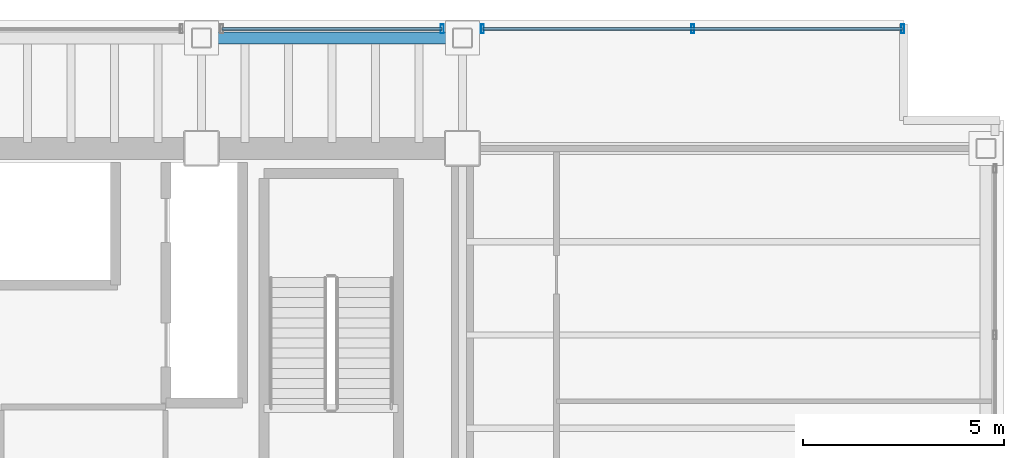
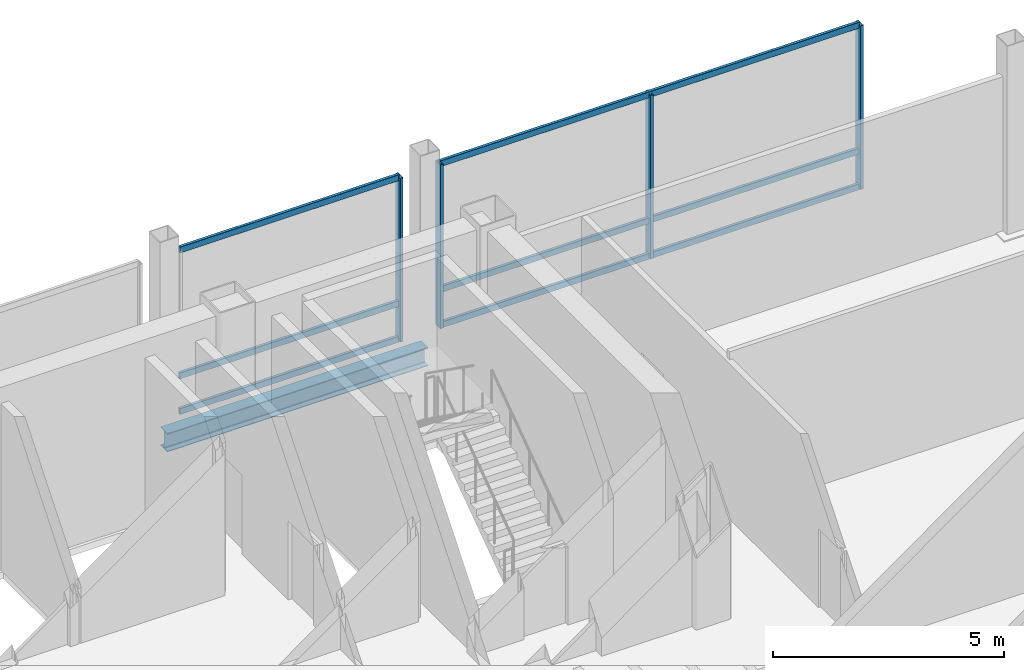
# One storey, part 16 of 22: 10 members, 1 beam, 2 elements without a shape of their own.
"""IFC4 building model written with IfcOpenShell, lengths in metres."""

from ifc_helpers import new_model, si_unit, direction, frame, origin, origin_2d, place, context, subcontext, project, spatial, hollow_rectangle, i_section, extrude, material, material_profile, profile_set, type_object, element, aggregate, save


model = new_model("IFC4")

# Units and contexts
model_context = context("Model", 3, precision=1e-05, world=origin(), true_north=direction((0.0, 1.0)))
body_context = subcontext(model_context, "Body", "Model", "MODEL_VIEW")
ifc_project = project(units=[si_unit("LENGTHUNIT", "METRE"), si_unit("AREAUNIT", "SQUARE_METRE"), si_unit("VOLUMEUNIT", "CUBIC_METRE"), si_unit("PLANEANGLEUNIT", "RADIAN"), si_unit("MASSUNIT", "GRAM", prefix="KILO")], contexts=[model_context])

# Site, building, storey
site_placement = place(None, origin())
site = spatial("IfcSite", under=ifc_project, at=site_placement, CompositionType="ELEMENT")
building_placement = place(site_placement, origin())
building = spatial("IfcBuilding", under=site, at=building_placement, Name="Noeulbin Bourse Tower", CompositionType="ELEMENT")
storey_placement = place(building_placement, frame((0.0, 0.0, 106.0)))
storey = spatial("IfcBuildingStorey", under=building, at=storey_placement, Name="L26", CompositionType="ELEMENT", Elevation=106.0)

# Beam
ifc_material_1 = material(Name="Steel S355", Category="steel")
ifc_material_profile_1 = material_profile(ifc_material_1, i_section(OverallWidth=0.300048828125, OverallDepth=0.488037109375, WebThickness=0.010986328125, FlangeThickness=0.01806640625, FilletRadius=0.02197265625, at=origin_2d()), Name="H-488x300x11x18", Category="LoadBearing")
ifc_profile_set_1 = profile_set([ifc_material_profile_1], Name="Steel S355")
beam_type = type_object("IfcBeamType", Name="BM-SPN-488", PredefinedType="SPANDREL", material=ifc_profile_set_1)
beam_placement = place(storey_placement, frame((37.5, 41.050048828125, -0.424072265625), z_axis=(1.0, 0.0, 0.0), x_axis=(0.0, 1.0, 0.0)))
element("IfcBeam", 1, at=beam_placement, inside=storey, type_object=beam_type, Name="North Spandrel L26-4", PredefinedType="SPANDREL", context=body_context, shape_type="SweptSolid", body=[
    extrude(i_section(OverallWidth=0.300048828125, OverallDepth=0.488037109375, WebThickness=0.010986328125, FlangeThickness=0.01806640625, FilletRadius=0.02197265625, at=origin_2d()), origin(), (0.0, 0.0, 1.0), 6.5),
])

# Curtain wall, member
ifc_material_2 = material(Name="Dark Tinted Triple Glazing", Category="glass")
curtain_wall_type = type_object("IfcCurtainWallType", Name="CW-SYS-3", PredefinedType="NOTDEFINED", material=ifc_material_2)
curtain_wall_1_placement = place(storey_placement, origin())
curtain_wall_1 = element("IfcCurtainWall", 2, at=curtain_wall_1_placement, inside=storey, type_object=curtain_wall_type, Name="Unitised Curtain Wall CW-L26-N-S5", PredefinedType="NOTDEFINED")
ifc_material_3 = material(Name="Anodised Aluminium 6063-T6", Category="aluminium")
ifc_material_profile_2 = material_profile(ifc_material_3, hollow_rectangle(XDim=0.074951171875, YDim=0.219970703125, WallThickness=0.0048828125, InnerFilletRadius=0.00244140625, OuterFilletRadius=0.0048828125, at=origin_2d()), Name="ALU-MULL-75x220x5", Category="LoadBearing")
ifc_profile_set_2 = profile_set([ifc_material_profile_2], Name="Anodised Aluminium 6063-T6")
member_type_1 = type_object("IfcMemberType", Name="CW-SYS-3-MUL", PredefinedType="MULLION", material=ifc_profile_set_2)
member_1_placement = place(storey_placement, frame((43.5, 41.280029296875, -0.02001953125), z_axis=(0.0, 0.0, 1.0), x_axis=(1.0, 0.0, 0.0)))
member_1 = element("IfcMember", 3, at=member_1_placement, type_object=member_type_1, Name="Curtain Wall Mullion CW-L26-N-S5-M01", PredefinedType="MULLION", context=body_context, shape_type="SweptSolid", body=[
    extrude(hollow_rectangle(XDim=0.074951171875, YDim=0.219970703125, WallThickness=0.0048828125, InnerFilletRadius=0.00244140625, OuterFilletRadius=0.0048828125, at=origin_2d()), origin(), (0.0, 0.0, 1.0), 4.320068359375),
])

# Curtain wall, members
curtain_wall_2_placement = place(storey_placement, origin())
curtain_wall_2 = element("IfcCurtainWall", 4, at=curtain_wall_2_placement, inside=storey, type_object=curtain_wall_type, Name="Unitised Curtain Wall CW-L26-N-S6", PredefinedType="NOTDEFINED")
member_2_placement = place(storey_placement, frame((44.5, 41.280029296875, -0.02001953125), z_axis=(0.0, 0.0, 1.0), x_axis=(1.0, 0.0, 0.0)))
member_2 = element("IfcMember", 5, at=member_2_placement, type_object=member_type_1, Name="Curtain Wall Mullion CW-L26-N-S6-M00", PredefinedType="MULLION", context=body_context, shape_type="SweptSolid", body=[
    extrude(hollow_rectangle(XDim=0.074951171875, YDim=0.219970703125, WallThickness=0.0048828125, InnerFilletRadius=0.00244140625, OuterFilletRadius=0.0048828125, at=origin_2d()), origin(), (0.0, 0.0, 1.0), 4.320068359375),
])
member_3_placement = place(storey_placement, frame((49.739990234375, 41.280029296875, -0.02001953125), z_axis=(0.0, 0.0, 1.0), x_axis=(1.0, 0.0, 0.0)))
member_3 = element("IfcMember", 6, at=member_3_placement, type_object=member_type_1, Name="Curtain Wall Mullion CW-L26-N-S6-M01", PredefinedType="MULLION", context=body_context, shape_type="SweptSolid", body=[
    extrude(hollow_rectangle(XDim=0.074951171875, YDim=0.219970703125, WallThickness=0.0048828125, InnerFilletRadius=0.00244140625, OuterFilletRadius=0.0048828125, at=origin_2d()), origin(), (0.0, 0.0, 1.0), 4.320068359375),
])
member_4_placement = place(storey_placement, frame((54.97998046875, 41.280029296875, -0.02001953125), z_axis=(0.0, 0.0, 1.0), x_axis=(1.0, 0.0, 0.0)))
member_4 = element("IfcMember", 7, at=member_4_placement, type_object=member_type_1, Name="Curtain Wall Mullion CW-L26-N-S6-M02", PredefinedType="MULLION", context=body_context, shape_type="SweptSolid", body=[
    extrude(hollow_rectangle(XDim=0.074951171875, YDim=0.219970703125, WallThickness=0.0048828125, InnerFilletRadius=0.00244140625, OuterFilletRadius=0.0048828125, at=origin_2d()), origin(), (0.0, 0.0, 1.0), 4.320068359375),
])

# Member
ifc_material_profile_3 = material_profile(ifc_material_3, hollow_rectangle(XDim=0.074951171875, YDim=0.159912109375, WallThickness=0.0048828125, InnerFilletRadius=0.00244140625, OuterFilletRadius=0.0048828125, at=origin_2d()), Name="ALU-TRAN-75x160x5", Category="LoadBearing")
ifc_profile_set_3 = profile_set([ifc_material_profile_3], Name="Anodised Aluminium 6063-T6")
member_type_2 = type_object("IfcMemberType", Name="CW-SYS-3-TRN", PredefinedType="USERDEFINED", material=ifc_profile_set_3)
member_5_placement = place(storey_placement, frame((38.010009765625, 41.280029296875, 0.010009765625), z_axis=(1.0, 0.0, 0.0), x_axis=(0.0, 1.0, 0.0)))
member_5 = element("IfcMember", 8, at=member_5_placement, type_object=member_type_2, Name="Curtain Wall Transom CW-L26-N-S5-T00", ObjectType="TRANSOM", PredefinedType="USERDEFINED", context=body_context, shape_type="SweptSolid", body=[
    extrude(hollow_rectangle(XDim=0.074951171875, YDim=0.159912109375, WallThickness=0.0048828125, InnerFilletRadius=0.00244140625, OuterFilletRadius=0.0048828125, at=origin_2d()), origin(), (0.0, 0.0, 1.0), 5.47998046875),
])

member_6_placement = place(storey_placement, frame((38.010009765625, 41.280029296875, 0.949951171875), z_axis=(1.0, 0.0, 0.0), x_axis=(0.0, 1.0, 0.0)))
member_6 = element("IfcMember", 9, at=member_6_placement, type_object=member_type_2, Name="Curtain Wall Transom CW-L26-N-S5-T01", ObjectType="TRANSOM", PredefinedType="USERDEFINED", context=body_context, shape_type="SweptSolid", body=[
    extrude(hollow_rectangle(XDim=0.074951171875, YDim=0.159912109375, WallThickness=0.0048828125, InnerFilletRadius=0.00244140625, OuterFilletRadius=0.0048828125, at=origin_2d()), origin(), (0.0, 0.0, 1.0), 5.47998046875),
])

member_7_placement = place(storey_placement, frame((38.010009765625, 41.280029296875, 4.27001953125), z_axis=(1.0, 0.0, 0.0), x_axis=(0.0, 1.0, 0.0)))
member_7 = element("IfcMember", 10, at=member_7_placement, type_object=member_type_2, Name="Curtain Wall Transom CW-L26-N-S5-T02", ObjectType="TRANSOM", PredefinedType="USERDEFINED", context=body_context, shape_type="SweptSolid", body=[
    extrude(hollow_rectangle(XDim=0.074951171875, YDim=0.159912109375, WallThickness=0.0048828125, InnerFilletRadius=0.00244140625, OuterFilletRadius=0.0048828125, at=origin_2d()), origin(), (0.0, 0.0, 1.0), 5.47998046875),
])

aggregate(curtain_wall_1, [member_1, member_5, member_6, member_7])

member_8_placement = place(storey_placement, frame((44.510009765625, 41.280029296875, 0.010009765625), z_axis=(1.0, 0.0, 0.0), x_axis=(0.0, 1.0, 0.0)))
member_8 = element("IfcMember", 11, at=member_8_placement, type_object=member_type_2, Name="Curtain Wall Transom CW-L26-N-S6-T00", ObjectType="TRANSOM", PredefinedType="USERDEFINED", context=body_context, shape_type="SweptSolid", body=[
    extrude(hollow_rectangle(XDim=0.074951171875, YDim=0.159912109375, WallThickness=0.0048828125, InnerFilletRadius=0.00244140625, OuterFilletRadius=0.0048828125, at=origin_2d()), origin(), (0.0, 0.0, 1.0), 10.4599609375),
])

member_9_placement = place(storey_placement, frame((44.510009765625, 41.280029296875, 0.949951171875), z_axis=(1.0, 0.0, 0.0), x_axis=(0.0, 1.0, 0.0)))
member_9 = element("IfcMember", 12, at=member_9_placement, type_object=member_type_2, Name="Curtain Wall Transom CW-L26-N-S6-T01", ObjectType="TRANSOM", PredefinedType="USERDEFINED", context=body_context, shape_type="SweptSolid", body=[
    extrude(hollow_rectangle(XDim=0.074951171875, YDim=0.159912109375, WallThickness=0.0048828125, InnerFilletRadius=0.00244140625, OuterFilletRadius=0.0048828125, at=origin_2d()), origin(), (0.0, 0.0, 1.0), 10.4599609375),
])

member_10_placement = place(storey_placement, frame((44.510009765625, 41.280029296875, 4.27001953125), z_axis=(1.0, 0.0, 0.0), x_axis=(0.0, 1.0, 0.0)))
member_10 = element("IfcMember", 13, at=member_10_placement, type_object=member_type_2, Name="Curtain Wall Transom CW-L26-N-S6-T02", ObjectType="TRANSOM", PredefinedType="USERDEFINED", context=body_context, shape_type="SweptSolid", body=[
    extrude(hollow_rectangle(XDim=0.074951171875, YDim=0.159912109375, WallThickness=0.0048828125, InnerFilletRadius=0.00244140625, OuterFilletRadius=0.0048828125, at=origin_2d()), origin(), (0.0, 0.0, 1.0), 10.4599609375),
])

aggregate(curtain_wall_2, [member_2, member_3, member_4, member_8, member_9, member_10])

save(model, "model.ifc")
